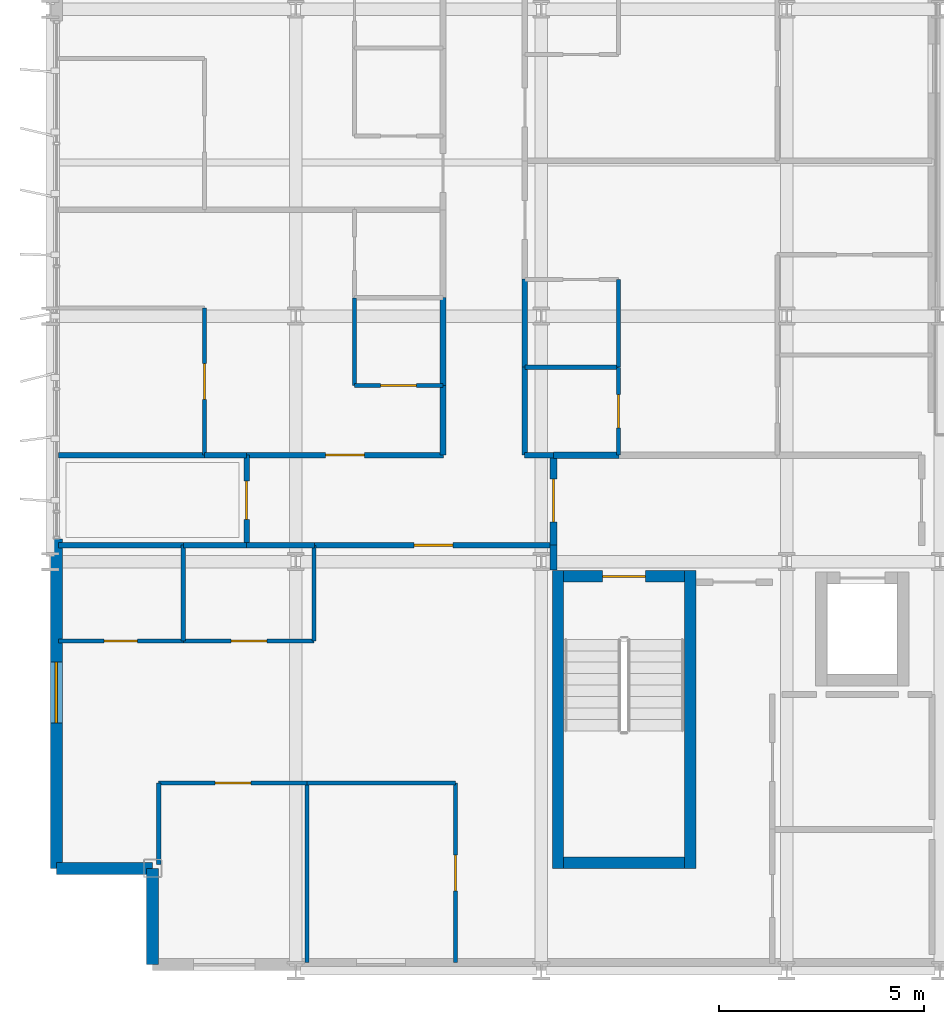
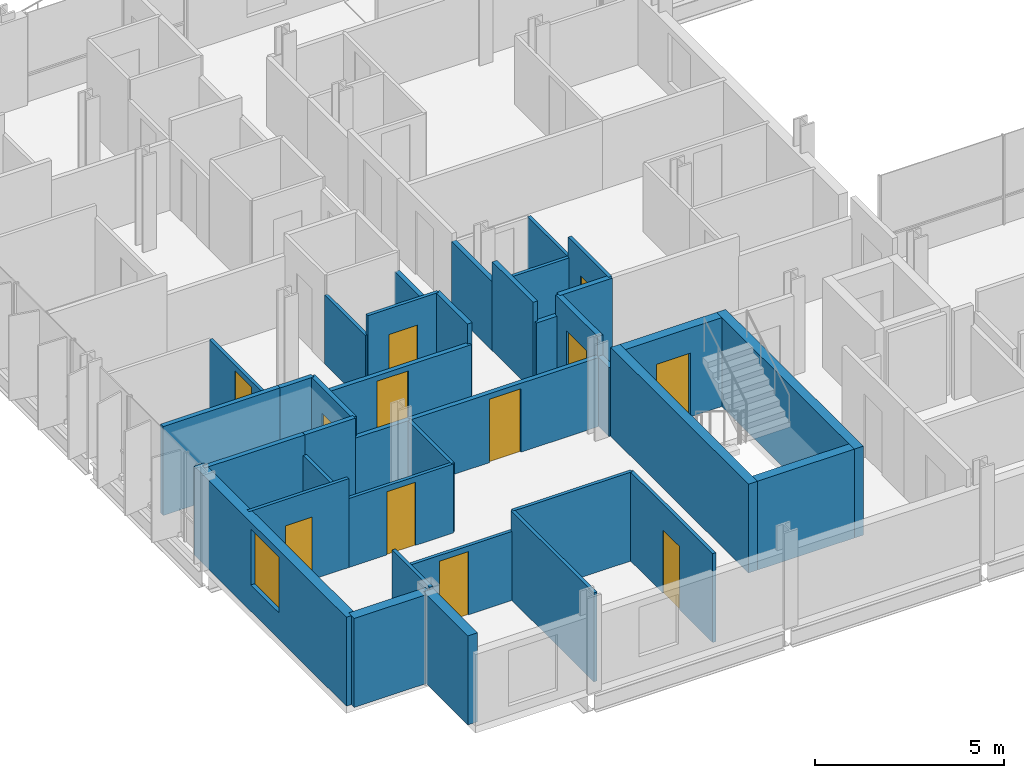
# One storey, part 27 of 39: 38 walls, 12 doors, 1 window, 13 openings.
"""IFC4 building model written with IfcOpenShell, lengths in metres."""

import ifcopenshell
import ifcopenshell.guid

model = None  # the IFC model being written
_history = None  # IfcOwnerHistory: only IFC2X3 demands one
_inside = {}  # id of a spatial element -> (the spatial element, [elements in it])
_under = {}  # id of a project, library or spatial element -> (it, [spatial elements below it])
_declared = {}  # id of a project -> (the project, [libraries it declares])
_typed = {}  # id of a type object -> (the type object, [elements of that type])
_made_of = {}  # id of a material, layer set ... -> (it, [elements and type objects made of it])


def new_model(schema):
    """Start an empty IFC model of exactly this schema.

    Asked for "IFC4X3", IfcOpenShell would pick the latest addendum, in which some entities
    have other attributes; the version numbers below select the first issue.
    IFC2X3 requires an IfcOwnerHistory on every rooted entity: one is made here for all.
    """
    global model, _history
    if schema == "IFC4X3":
        model = ifcopenshell.file(schema_version=(4, 3, 0, 0))
    else:
        model = ifcopenshell.file(schema=schema)
    _inside.clear()
    _under.clear()
    _declared.clear()
    _typed.clear()
    _made_of.clear()
    _history = None
    if model.schema == "IFC2X3":
        org = make("IfcOrganization", Name="unknown")
        user = make(
            "IfcPersonAndOrganization",
            ThePerson=make("IfcPerson", FamilyName="unknown"),
            TheOrganization=org,
        )
        app = make(
            "IfcApplication",
            ApplicationDeveloper=org,
            Version="unknown",
            ApplicationFullName="unknown",
            ApplicationIdentifier="unknown",
        )
        _history = make(
            "IfcOwnerHistory",
            OwningUser=user,
            OwningApplication=app,
            ChangeAction="ADDED",
            CreationDate=0,
        )
    return model


def make(cls, **values):
    """One entity of the class cls with the attributes given. An attribute that is None is left unset."""
    return model.create_entity(
        cls, **{name: value for name, value in values.items() if value is not None}
    )


def rooted(cls, **values):
    """An entity with a GlobalId (a new one), such as an element, a storey or a relation."""
    return make(cls, GlobalId=ifcopenshell.guid.new(), OwnerHistory=_history, **values)


def si_unit(unit_type, name, prefix=None):
    """IfcSIUnit, for example si_unit("LENGTHUNIT", "METRE", prefix="MILLI")."""
    return make("IfcSIUnit", UnitType=unit_type, Prefix=prefix, Name=name)


def assignment(units):
    """IfcUnitAssignment: the units of a project."""
    return None if units is None else make("IfcUnitAssignment", Units=units)


def point(xyz):
    """IfcCartesianPoint."""
    return None if xyz is None else make("IfcCartesianPoint", Coordinates=xyz)


def direction(xyz):
    """IfcDirection."""
    return None if xyz is None else make("IfcDirection", DirectionRatios=xyz)


def frame(location, z_axis=None, x_axis=None):
    """IfcAxis2Placement3D, a coordinate frame: its origin and axes. An axis left out is left unset."""
    return make(
        "IfcAxis2Placement3D",
        Location=point(location),
        Axis=direction(z_axis),
        RefDirection=direction(x_axis),
    )


def frame_2d(location, x_axis=None):
    """IfcAxis2Placement2D, a coordinate frame in the plane: its origin and x axis."""
    return make(
        "IfcAxis2Placement2D", Location=point(location), RefDirection=direction(x_axis)
    )


def origin():
    """The frame at (0, 0, 0) with its axes left unset."""
    return frame((0.0, 0.0, 0.0))


def place(relative_to, where):
    """IfcLocalPlacement: puts the frame where relative to a parent placement (None: the world)."""
    return make(
        "IfcLocalPlacement", PlacementRelTo=relative_to, RelativePlacement=where
    )


def context(
    kind, dimensions, precision=None, world=None, true_north=None, identifier=None
):
    """IfcGeometricRepresentationContext, for example the 3D "Model" context."""
    return make(
        "IfcGeometricRepresentationContext",
        ContextIdentifier=identifier,
        ContextType=kind,
        CoordinateSpaceDimension=dimensions,
        Precision=precision,
        WorldCoordinateSystem=world,
        TrueNorth=true_north,
    )


def subcontext(parent, identifier, kind, view, scale=None):
    """IfcGeometricRepresentationSubContext, for example "Body" below "Model"."""
    return make(
        "IfcGeometricRepresentationSubContext",
        ContextIdentifier=identifier,
        ContextType=kind,
        ParentContext=parent,
        TargetScale=scale,
        TargetView=view,
    )


def project(units=None, contexts=None):
    """IfcProject with its units and contexts."""
    return rooted(
        "IfcProject",
        Name="project",
        RepresentationContexts=contexts,
        UnitsInContext=assignment(units),
    )


def spatial(cls, under=None, at=None, **own):
    """A site, building, storey or space (cls), placed at a placement, below another one or the project."""
    s = rooted(cls, ObjectPlacement=at, **own)
    if under is not None:
        _under.setdefault(under.id(), (under, []))[1].append(s)
    return s


def profile(cls, at=None, kind="AREA", **sizes):
    """A parametric profile (cls). Its sizes go by their IFC names, for example OverallWidth=200.0."""
    return make(cls, ProfileType=kind, Position=at, **sizes)


def rectangle(**sizes):
    """IfcRectangleProfileDef."""
    return profile("IfcRectangleProfileDef", **sizes)


def extrude(swept, where, along, depth):
    """IfcExtrudedAreaSolid: the profile swept, set in the frame where, extruded along a direction by depth."""
    return make(
        "IfcExtrudedAreaSolid",
        SweptArea=swept,
        Position=where,
        ExtrudedDirection=direction(along),
        Depth=depth,
    )


def shape(context_of_items, identifier, shape_type, items):
    """IfcShapeRepresentation: the items that make up one representation, for example the "Body"."""
    return make(
        "IfcShapeRepresentation",
        ContextOfItems=context_of_items,
        RepresentationIdentifier=identifier,
        RepresentationType=shape_type,
        Items=items,
    )


def material(Name=None, Category=None):
    """IfcMaterial."""
    return make("IfcMaterial", Name=Name, Category=Category)


def layer(
    of_material, thickness, ventilated=None, Name=None, Category=None, Priority=None
):
    """IfcMaterialLayer: one layer of a wall or slab, of a material (None: an air gap)."""
    return make(
        "IfcMaterialLayer",
        Material=of_material,
        LayerThickness=thickness,
        IsVentilated=ventilated,
        Name=Name,
        Category=Category,
        Priority=Priority,
    )


def layer_set(layers, Name=None):
    """IfcMaterialLayerSet."""
    return make("IfcMaterialLayerSet", MaterialLayers=layers, LayerSetName=Name)


def made_of(thing, what):
    """Note that an element or type object is made of a material, layer set ...; save() writes the relation."""
    if what is not None:
        _made_of.setdefault(what.id(), (what, []))[1].append(thing)
    return thing


def type_object(cls, material=None, **own):
    """A type object (cls), such as IfcWallType, which elements share."""
    return made_of(rooted(cls, **own), material)


def element(
    cls,
    number,
    at=None,
    inside=None,
    cuts=None,
    type_object=None,
    material=None,
    context=None,
    identifier="Body",
    shape_type=None,
    held_by="IfcProductDefinitionShape",
    body=None,
    shapes=None,
    **own,
):
    """One element of the class cls, such as IfcWall. Its Tag is "e" and its number.

    at: its placement. inside: the storey or other place that contains it. cuts: it is an
    opening in that element (IfcRelVoidsElement). A single representation is given by context,
    identifier, shape_type and body (its items); several are given by shapes. held_by: the class
    of the entity that holds the representations. save() writes the other relations.
    """
    e = rooted(cls, Tag="e%d" % number, ObjectPlacement=at, **own)
    if body is not None:
        shapes = [shape(context, identifier, shape_type, body)]
    if shapes is not None:
        e.Representation = make(held_by, Representations=shapes)
    if inside is not None:
        _inside.setdefault(inside.id(), (inside, []))[1].append(e)
    if cuts is not None:
        rooted(
            "IfcRelVoidsElement", RelatingBuildingElement=cuts, RelatedOpeningElement=e
        )
    if type_object is not None:
        _typed.setdefault(type_object.id(), (type_object, []))[1].append(e)
    return made_of(e, material)


def fill(opening, filler):
    """IfcRelFillsElement: the door or window that sits in an opening."""
    return rooted(
        "IfcRelFillsElement",
        RelatingOpeningElement=opening,
        RelatedBuildingElement=filler,
    )


def aggregate(whole, parts):
    """IfcRelAggregates: a whole, such as a stair, and the parts it consists of."""
    return rooted("IfcRelAggregates", RelatingObject=whole, RelatedObjects=parts)


def save(model, path):
    """Write the relations noted so far, then the file.

    IfcRelAggregates (storeys below a building ...), IfcRelContainedInSpatialStructure (elements
    in a storey), IfcRelDefinesByType, IfcRelAssociatesMaterial and IfcRelDeclares: one each for
    every whole, place, type object, material and project.
    """
    for whole, parts in _under.values():
        aggregate(whole, parts)
    for where, things in _inside.values():
        rooted(
            "IfcRelContainedInSpatialStructure",
            RelatedElements=things,
            RelatingStructure=where,
        )
    for kind, things in _typed.values():
        rooted("IfcRelDefinesByType", RelatedObjects=things, RelatingType=kind)
    for what, things in _made_of.values():
        rooted("IfcRelAssociatesMaterial", RelatedObjects=things, RelatingMaterial=what)
    for by, libraries in _declared.values():
        rooted("IfcRelDeclares", RelatingContext=by, RelatedDefinitions=libraries)
    model.write(path)


model = new_model("IFC4")

# Units and contexts
model_context = context("Model", 3, precision=1e-05, world=origin(), true_north=direction((0.0, 1.0)))
body_context = subcontext(model_context, "Body", "Model", "MODEL_VIEW")
ifc_project = project(units=[si_unit("LENGTHUNIT", "METRE"), si_unit("AREAUNIT", "SQUARE_METRE"), si_unit("VOLUMEUNIT", "CUBIC_METRE"), si_unit("PLANEANGLEUNIT", "RADIAN"), si_unit("MASSUNIT", "GRAM", prefix="KILO")], contexts=[model_context])

# Site, building, storey
site_placement = place(None, origin())
site = spatial("IfcSite", under=ifc_project, at=site_placement, CompositionType="ELEMENT")
building_placement = place(site_placement, origin())
building = spatial("IfcBuilding", under=site, at=building_placement, Name="Brevholm Reach", CompositionType="ELEMENT")
storey_placement = place(building_placement, frame((0.0, 0.0, 90.0)))
storey = spatial("IfcBuildingStorey", under=building, at=storey_placement, Name="L26", CompositionType="ELEMENT", Elevation=90.0)

# Walls
ifc_material_1 = material(Name="Concrete C50/60", Category="concrete")
ifc_layer_1 = layer(ifc_material_1, 0.280029296875)
ifc_layer_set_1 = layer_set([ifc_layer_1], Name="Concrete C50/60")
wall_type_1 = type_object("IfcWallType", Name="WAL-COR-280", PredefinedType="SHEAR", material=ifc_layer_set_1)
for number, where, z_axis, x_axis, name in (
    (1, (12.409912109375, 2.5, 0.0), (0.0, 0.0, 1.0), (0.0, 1.0, 0.0), "L26 Escape Stair ST-1 Core Wall W"),
    (2, (15.639892578125, 2.5, 0.0), (0.0, 0.0, 1.0), (0.0, 1.0, 0.0), "L26 Escape Stair ST-1 Core Wall E"),
):
    element("IfcWall", number, at=place(storey_placement, frame(where, z_axis=z_axis, x_axis=x_axis)), inside=storey, type_object=wall_type_1, Name=name, PredefinedType="SHEAR", context=body_context, shape_type="SweptSolid", body=[
        extrude(rectangle(XDim=7.280029296875, YDim=0.280029296875, at=frame_2d((3.64013671875, 0.0))), origin(), (0.0, 0.0, 1.0), 2.8701171875),
    ])
wall_1_placement = place(storey_placement, frame((12.550048828125, 2.639892578125, 0.0), z_axis=(0.0, 0.0, 1.0), x_axis=(1.0, 0.0, 0.0)))
element("IfcWall", 3, at=wall_1_placement, inside=storey, type_object=wall_type_1, Name="L26 Escape Stair ST-1 Core Wall S", PredefinedType="SHEAR", context=body_context, shape_type="SweptSolid", body=[
    extrude(rectangle(XDim=2.949951171875, YDim=0.280029296875, at=frame_2d((1.47509765625, 0.0))), origin(), (0.0, 0.0, 1.0), 2.8701171875),
])

# Wall, opening, door
wall_2_placement = place(storey_placement, frame((15.5, 9.639892578125, 0.0), z_axis=(0.0, 0.0, 1.0), x_axis=(-1.0, 0.0, 0.0)))
wall_2 = element("IfcWall", 4, at=wall_2_placement, inside=storey, type_object=wall_type_1, Name="L26 Escape Stair ST-1 Core Wall N", PredefinedType="SHEAR", context=body_context, shape_type="SweptSolid", body=[
    extrude(rectangle(XDim=2.949951171875, YDim=0.280029296875, at=frame_2d((1.47509765625, 0.0))), origin(), (0.0, 0.0, 1.0), 2.8701171875),
])
opening_1_placement = place(wall_2_placement, frame((0.949951171875, 0.0, 0.0)))
opening_1 = element("IfcOpeningElement", 5, at=opening_1_placement, cuts=wall_2, Name="Opening SD-ST-1", PredefinedType="OPENING", context=body_context, shape_type="SweptSolid", body=[
    extrude(rectangle(XDim=1.050048828125, YDim=2.06005859375, at=frame_2d((0.52490234375, 1.030029296875))), frame((0.0, 0.14990234375, 0.0), z_axis=(0.0, -1.0, 0.0), x_axis=(1.0, 0.0, 0.0)), (0.0, 0.0, 1.0), 0.300048828125),
])
ifc_material_2 = material(Name="Hardwood-Lipped Steel-Core Fire and Smoke Door", Category="steel")
door_type_1 = type_object("IfcDoorType", Name="DOR-INT-FD60S", OperationType="NOTDEFINED", PredefinedType="DOOR", material=ifc_material_2)
door_1_placement = place(opening_1_placement, origin())
door_1 = element("IfcDoor", 6, at=door_1_placement, inside=storey, type_object=door_type_1, Name="L26 Protected Stair ST-1 Lobby Door", OperationType="SINGLE_SWING_RIGHT", OverallHeight=2.06005859375, OverallWidth=1.050048828125, PredefinedType="DOOR", context=body_context, shape_type="SweptSolid", body=[
    extrude(rectangle(XDim=1.050048828125, YDim=2.06005859375, at=frame_2d((0.52490234375, 1.030029296875))), frame((0.0, 0.02490234375, 0.0), z_axis=(0.0, -1.0, 0.0), x_axis=(1.0, 0.0, 0.0)), (0.0, 0.0, 1.0), 0.050048828125),
])
fill(opening_1, door_1)

# Walls
ifc_material_3 = material(Name="Concrete C40/50", Category="concrete")
ifc_layer_2 = layer(ifc_material_3, 0.300048828125)
ifc_layer_set_2 = layer_set([ifc_layer_2], Name="Concrete C40/50")
wall_type_2 = type_object("IfcWallType", Name="WAL-EXT-300", PredefinedType="STANDARD", material=ifc_layer_set_2)
for number, where, z_axis, x_axis, name in (
    (7, (2.5, 2.5, 0.0), (0.0, 0.0, 1.0), (0.0, -1.0, 0.0), "L26 Facade Wall WAL-L26-CSW1"),
    (8, (0.14990234375, 2.5, 0.0), (0.0, 0.0, 1.0), (1.0, 0.0, 0.0), "L26 Facade Wall WAL-L26-CSW2"),
):
    element("IfcWall", number, at=place(storey_placement, frame(where, z_axis=z_axis, x_axis=x_axis)), inside=storey, type_object=wall_type_2, Name=name, PredefinedType="STANDARD", context=body_context, shape_type="SweptSolid", body=[
        extrude(rectangle(XDim=2.35009765625, YDim=0.300048828125, at=frame_2d((1.175048828125, 0.0))), origin(), (0.0, 0.0, 1.0), 2.8701171875),
    ])

# Wall, opening, window
wall_3_placement = place(storey_placement, frame((0.14990234375, 10.550048828125, 0.0), z_axis=(0.0, 0.0, 1.0), x_axis=(0.0, -1.0, 0.0)))
wall_3 = element("IfcWall", 9, at=wall_3_placement, inside=storey, type_object=wall_type_2, Name="L26 Facade Wall WAL-L26-W-S", PredefinedType="STANDARD", context=body_context, shape_type="SweptSolid", body=[
    extrude(rectangle(XDim=8.050048828125, YDim=0.300048828125, at=frame_2d((4.02490234375, 0.0))), origin(), (0.0, 0.0, 1.0), 2.8701171875),
])
opening_2_placement = place(wall_3_placement, frame((3.0, 0.0, 0.85009765625)))
opening_2 = element("IfcOpeningElement", 10, at=opening_2_placement, cuts=wall_3, Name="Opening WN-05", PredefinedType="OPENING", context=body_context, shape_type="SweptSolid", body=[
    extrude(rectangle(XDim=1.5, YDim=1.800048828125, at=frame_2d((0.75, 0.89990234375))), frame((0.0, 0.159912109375, 0.0), z_axis=(0.0, -1.0, 0.0), x_axis=(1.0, 0.0, 0.0)), (0.0, 0.0, 1.0), 0.320068359375),
])
ifc_material_4 = material(Name="Dark Anodised Aluminium and Solar-Control IGU Glass", Category="aluminium")
window_type = type_object("IfcWindowType", Name="WIN-RES-1500", PartitioningType="SINGLE_PANEL", PredefinedType="WINDOW", material=ifc_material_4)
window_placement = place(opening_2_placement, origin())
window = element("IfcWindow", 11, at=window_placement, inside=storey, type_object=window_type, Name="L26 Window WIN-L26-WS-1", OverallHeight=1.800048828125, OverallWidth=1.5, PartitioningType="SINGLE_PANEL", PredefinedType="WINDOW", context=body_context, shape_type="SweptSolid", body=[
    extrude(rectangle(XDim=1.5, YDim=1.800048828125, at=frame_2d((0.75, 0.89990234375))), frame((0.0, 0.030029296875, 0.0), z_axis=(0.0, -1.0, 0.0), x_axis=(1.0, 0.0, 0.0)), (0.0, 0.0, 1.0), 0.06005859375),
])
fill(opening_2, window)

# Wall
ifc_material_5 = material(Name="Moisture-Resistant Acoustic Gypsum Stud Partition 100 mm", Category="gypsum")
ifc_layer_3 = layer(ifc_material_5, 0.10009765625)
ifc_layer_set_3 = layer_set([ifc_layer_3], Name="Moisture-Resistant Acoustic Gypsum Stud Partition 100 mm")
wall_type_3 = type_object("IfcWallType", Name="WAL-PRT-100", PredefinedType="PARTITIONING", material=ifc_layer_set_3)
wall_4_placement = place(storey_placement, frame((3.25, 8.053955078125, 0.0), z_axis=(0.0, 0.0, 1.0), x_axis=(0.0, 1.0, 0.0)))
element("IfcWall", 12, at=wall_4_placement, inside=storey, type_object=wall_type_3, Name="L26 Internal Partition 067", PredefinedType="PARTITIONING", context=body_context, shape_type="SweptSolid", body=[
    extrude(rectangle(XDim=2.345947265625, YDim=0.10009765625, at=frame_2d((1.1728515625, 0.0))), origin(), (0.0, 0.0, 1.0), 2.224853515625),
])

# Wall, opening, door
wall_5_placement = place(storey_placement, frame((0.199951171875, 8.053955078125, 0.0), z_axis=(0.0, 0.0, 1.0), x_axis=(1.0, 0.0, 0.0)))
wall_5 = element("IfcWall", 13, at=wall_5_placement, inside=storey, type_object=wall_type_3, Name="L26 Internal Partition 068", PredefinedType="PARTITIONING", context=body_context, shape_type="SweptSolid", body=[
    extrude(rectangle(XDim=3.050048828125, YDim=0.10009765625, at=frame_2d((1.52490234375, 0.0))), origin(), (0.0, 0.0, 1.0), 2.8701171875),
])
opening_3_placement = place(wall_5_placement, frame((1.114990234375, 0.0, 0.0)))
opening_3 = element("IfcOpeningElement", 14, at=opening_3_placement, cuts=wall_5, Name="Opening ID-03", PredefinedType="OPENING", context=body_context, shape_type="SweptSolid", body=[
    extrude(rectangle(XDim=0.820068359375, YDim=2.02001953125, at=frame_2d((0.41015625, 1.010009765625))), frame((0.0, 0.06005859375, 0.0), z_axis=(0.0, -1.0, 0.0), x_axis=(1.0, 0.0, 0.0)), (0.0, 0.0, 1.0), 0.1201171875),
])
ifc_material_6 = material(Name="Moisture-Resistant Painted Timber Internal Bathroom Door", Category="wood")
door_type_2 = type_object("IfcDoorType", Name="DOR-BATH-820", OperationType="NOTDEFINED", PredefinedType="DOOR", material=ifc_material_6)
door_2_placement = place(opening_3_placement, origin())
door_2 = element("IfcDoor", 15, at=door_2_placement, inside=storey, type_object=door_type_2, Name="L26 Internal Door 026", OperationType="SINGLE_SWING_RIGHT", OverallHeight=2.02001953125, OverallWidth=0.820068359375, PredefinedType="DOOR", context=body_context, shape_type="SweptSolid", body=[
    extrude(rectangle(XDim=0.820068359375, YDim=2.02001953125, at=frame_2d((0.41015625, 1.010009765625))), frame((0.0, 0.02490234375, 0.0), z_axis=(0.0, -1.0, 0.0), x_axis=(1.0, 0.0, 0.0)), (0.0, 0.0, 1.0), 0.050048828125),
])
fill(opening_3, door_2)

wall_6_placement = place(storey_placement, frame((3.25390625, 8.053955078125, 0.0), z_axis=(0.0, 0.0, 1.0), x_axis=(1.0, 0.0, 0.0)))
wall_6 = element("IfcWall", 16, at=wall_6_placement, inside=storey, type_object=wall_type_3, Name="L26 Internal Partition 070", PredefinedType="PARTITIONING", context=body_context, shape_type="SweptSolid", body=[
    extrude(rectangle(XDim=3.196044921875, YDim=0.10009765625, at=frame_2d((1.59814453125, 0.0))), origin(), (0.0, 0.0, 1.0), 2.224853515625),
])
opening_4_placement = place(wall_6_placement, frame((1.157958984375, 0.0, 0.0)))
opening_4 = element("IfcOpeningElement", 17, at=opening_4_placement, cuts=wall_6, Name="Opening ID-01", PredefinedType="OPENING", context=body_context, shape_type="SweptSolid", body=[
    extrude(rectangle(XDim=0.8798828125, YDim=2.0400390625, at=frame_2d((0.43994140625, 1.02001953125))), frame((0.0, 0.06005859375, 0.0), z_axis=(0.0, -1.0, 0.0), x_axis=(1.0, 0.0, 0.0)), (0.0, 0.0, 1.0), 0.1201171875),
])
ifc_material_7 = material(Name="Lacquered Ash Solid-Core Acoustic Internal Door", Category="timber")
door_type_3 = type_object("IfcDoorType", Name="DOR-INT-880", OperationType="NOTDEFINED", PredefinedType="DOOR", material=ifc_material_7)
door_3_placement = place(opening_4_placement, origin())
door_3 = element("IfcDoor", 18, at=door_3_placement, inside=storey, type_object=door_type_3, Name="L26 Internal Door 027", OperationType="SINGLE_SWING_LEFT", OverallHeight=2.0400390625, OverallWidth=0.8798828125, PredefinedType="DOOR", context=body_context, shape_type="SweptSolid", body=[
    extrude(rectangle(XDim=0.8798828125, YDim=2.0400390625, at=frame_2d((0.43994140625, 1.02001953125))), frame((0.0, 0.02490234375, 0.0), z_axis=(0.0, -1.0, 0.0), x_axis=(1.0, 0.0, 0.0)), (0.0, 0.0, 1.0), 0.050048828125),
])
fill(opening_4, door_3)

# Walls
wall_7_placement = place(storey_placement, frame((6.449951171875, 8.053955078125, 0.0), z_axis=(0.0, 0.0, 1.0), x_axis=(0.0, 1.0, 0.0)))
element("IfcWall", 19, at=wall_7_placement, inside=storey, type_object=wall_type_3, Name="L26 Internal Partition 071", PredefinedType="PARTITIONING", context=body_context, shape_type="SweptSolid", body=[
    extrude(rectangle(XDim=2.342041015625, YDim=0.10009765625, at=frame_2d((1.1708984375, 0.0))), origin(), (0.0, 0.0, 1.0), 2.224853515625),
])
wall_8_placement = place(storey_placement, frame((6.27490234375, 0.199951171875, 0.0), z_axis=(0.0, 0.0, 1.0), x_axis=(0.0, 1.0, 0.0)))
element("IfcWall", 20, at=wall_8_placement, inside=storey, type_object=wall_type_3, Name="L26 Internal Partition 073", PredefinedType="PARTITIONING", context=body_context, shape_type="SweptSolid", body=[
    extrude(rectangle(XDim=4.385986328125, YDim=0.10009765625, at=frame_2d((2.19287109375, 0.0))), origin(), (0.0, 0.0, 1.0), 2.8701171875),
])
wall_9_placement = place(storey_placement, frame((2.64990234375, 2.599365234375, 0.0), z_axis=(0.0, 0.0, 1.0), x_axis=(0.0, 1.0, 0.0)))
element("IfcWall", 21, at=wall_9_placement, inside=storey, type_object=wall_type_3, Name="L26 Internal Partition 074", PredefinedType="PARTITIONING", context=body_context, shape_type="SweptSolid", body=[
    extrude(rectangle(XDim=1.986572265625, YDim=0.10009765625, at=frame_2d((0.9931640625, 0.0))), origin(), (0.0, 0.0, 1.0), 2.8701171875),
])

# Wall, opening, door
wall_10_placement = place(storey_placement, frame((2.64990234375, 4.5859375, 0.0), z_axis=(0.0, 0.0, 1.0), x_axis=(1.0, 0.0, 0.0)))
wall_10 = element("IfcWall", 22, at=wall_10_placement, inside=storey, type_object=wall_type_3, Name="L26 Internal Partition 075", PredefinedType="PARTITIONING", context=body_context, shape_type="SweptSolid", body=[
    extrude(rectangle(XDim=3.625, YDim=0.10009765625, at=frame_2d((1.8125, 0.0))), origin(), (0.0, 0.0, 1.0), 2.224853515625),
])
opening_5_placement = place(wall_10_placement, frame((1.37255859375, 0.0, 0.0)))
opening_5 = element("IfcOpeningElement", 23, at=opening_5_placement, cuts=wall_10, Name="Opening ID-01", PredefinedType="OPENING", context=body_context, shape_type="SweptSolid", body=[
    extrude(rectangle(XDim=0.8798828125, YDim=2.0400390625, at=frame_2d((0.43994140625, 1.02001953125))), frame((0.0, 0.06005859375, 0.0), z_axis=(0.0, -1.0, 0.0), x_axis=(1.0, 0.0, 0.0)), (0.0, 0.0, 1.0), 0.1201171875),
])
door_4_placement = place(opening_5_placement, origin())
door_4 = element("IfcDoor", 24, at=door_4_placement, inside=storey, type_object=door_type_3, Name="L26 Internal Door 028", OperationType="SINGLE_SWING_RIGHT", OverallHeight=2.0400390625, OverallWidth=0.8798828125, PredefinedType="DOOR", context=body_context, shape_type="SweptSolid", body=[
    extrude(rectangle(XDim=0.8798828125, YDim=2.0400390625, at=frame_2d((0.43994140625, 1.02001953125))), frame((0.0, 0.02490234375, 0.0), z_axis=(0.0, -1.0, 0.0), x_axis=(1.0, 0.0, 0.0)), (0.0, 0.0, 1.0), 0.050048828125),
])
fill(opening_5, door_4)

wall_11_placement = place(storey_placement, frame((9.89990234375, 0.199951171875, 0.0), z_axis=(0.0, 0.0, 1.0), x_axis=(0.0, 1.0, 0.0)))
wall_11 = element("IfcWall", 25, at=wall_11_placement, inside=storey, type_object=wall_type_3, Name="L26 Internal Partition 076", PredefinedType="PARTITIONING", context=body_context, shape_type="SweptSolid", body=[
    extrude(rectangle(XDim=4.385986328125, YDim=0.10009765625, at=frame_2d((2.19287109375, 0.0))), origin(), (0.0, 0.0, 1.0), 2.8701171875),
])
opening_6_placement = place(wall_11_placement, frame((1.7529296875, 0.0, 0.0)))
opening_6 = element("IfcOpeningElement", 26, at=opening_6_placement, cuts=wall_11, Name="Opening ID-01", PredefinedType="OPENING", context=body_context, shape_type="SweptSolid", body=[
    extrude(rectangle(XDim=0.8798828125, YDim=2.0400390625, at=frame_2d((0.43994140625, 1.02001953125))), frame((0.0, 0.06005859375, 0.0), z_axis=(0.0, -1.0, 0.0), x_axis=(1.0, 0.0, 0.0)), (0.0, 0.0, 1.0), 0.1201171875),
])
door_5_placement = place(opening_6_placement, origin())
door_5 = element("IfcDoor", 27, at=door_5_placement, inside=storey, type_object=door_type_3, Name="L26 Internal Door 029", OperationType="SINGLE_SWING_LEFT", OverallHeight=2.0400390625, OverallWidth=0.8798828125, PredefinedType="DOOR", context=body_context, shape_type="SweptSolid", body=[
    extrude(rectangle(XDim=0.8798828125, YDim=2.0400390625, at=frame_2d((0.43994140625, 1.02001953125))), frame((0.0, 0.02490234375, 0.0), z_axis=(0.0, -1.0, 0.0), x_axis=(1.0, 0.0, 0.0)), (0.0, 0.0, 1.0), 0.050048828125),
])
fill(opening_6, door_5)

# Wall
wall_12_placement = place(storey_placement, frame((6.279052734375, 4.5859375, 0.0), z_axis=(0.0, 0.0, 1.0), x_axis=(1.0, 0.0, 0.0)))
element("IfcWall", 28, at=wall_12_placement, inside=storey, type_object=wall_type_3, Name="L26 Internal Partition 077", PredefinedType="PARTITIONING", context=body_context, shape_type="SweptSolid", body=[
    extrude(rectangle(XDim=3.620849609375, YDim=0.10009765625, at=frame_2d((1.810546875, 0.0))), origin(), (0.0, 0.0, 1.0), 2.8701171875),
])

# Wall, opening, door
wall_13_placement = place(storey_placement, frame((7.43798828125, 14.300048828125, 0.0), z_axis=(0.0, 0.0, 1.0), x_axis=(1.0, 0.0, 0.0)))
wall_13 = element("IfcWall", 29, at=wall_13_placement, inside=storey, type_object=wall_type_3, Name="L26 Internal Partition 093", PredefinedType="PARTITIONING", context=body_context, shape_type="SweptSolid", body=[
    extrude(rectangle(XDim=2.157958984375, YDim=0.10009765625, at=frame_2d((1.0791015625, 0.0))), origin(), (0.0, 0.0, 1.0), 2.8701171875),
])
opening_7_placement = place(wall_13_placement, frame((0.638916015625, 0.0, 0.0)))
opening_7 = element("IfcOpeningElement", 30, at=opening_7_placement, cuts=wall_13, Name="Opening ID-01", PredefinedType="OPENING", context=body_context, shape_type="SweptSolid", body=[
    extrude(rectangle(XDim=0.8798828125, YDim=2.0400390625, at=frame_2d((0.43994140625, 1.02001953125))), frame((0.0, 0.06005859375, 0.0), z_axis=(0.0, -1.0, 0.0), x_axis=(1.0, 0.0, 0.0)), (0.0, 0.0, 1.0), 0.1201171875),
])
door_6_placement = place(opening_7_placement, origin())
door_6 = element("IfcDoor", 31, at=door_6_placement, inside=storey, type_object=door_type_3, Name="L26 Internal Door 034", OperationType="SINGLE_SWING_RIGHT", OverallHeight=2.0400390625, OverallWidth=0.8798828125, PredefinedType="DOOR", context=body_context, shape_type="SweptSolid", body=[
    extrude(rectangle(XDim=0.8798828125, YDim=2.0400390625, at=frame_2d((0.43994140625, 1.02001953125))), frame((0.0, 0.02490234375, 0.0), z_axis=(0.0, -1.0, 0.0), x_axis=(1.0, 0.0, 0.0)), (0.0, 0.0, 1.0), 0.050048828125),
])
fill(opening_7, door_6)

# Wall
wall_14_placement = place(storey_placement, frame((7.43798828125, 14.300048828125, 0.0), z_axis=(0.0, 0.0, 1.0), x_axis=(0.0, 1.0, 0.0)))
element("IfcWall", 32, at=wall_14_placement, inside=storey, type_object=wall_type_3, Name="L26 Internal Partition 094", PredefinedType="PARTITIONING", context=body_context, shape_type="SweptSolid", body=[
    extrude(rectangle(XDim=2.14599609375, YDim=0.10009765625, at=frame_2d((1.072998046875, 0.0))), origin(), (0.0, 0.0, 1.0), 2.224853515625),
])

# Wall, opening, door
wall_15_placement = place(storey_placement, frame((3.77197265625, 12.60400390625, 0.0), z_axis=(0.0, 0.0, 1.0), x_axis=(0.0, 1.0, 0.0)))
wall_15 = element("IfcWall", 33, at=wall_15_placement, inside=storey, type_object=wall_type_3, Name="L26 Internal Partition 095", PredefinedType="PARTITIONING", context=body_context, shape_type="SweptSolid", body=[
    extrude(rectangle(XDim=3.595947265625, YDim=0.10009765625, at=frame_2d((1.7978515625, 0.0))), origin(), (0.0, 0.0, 1.0), 2.224853515625),
])
opening_8_placement = place(wall_15_placement, frame((1.35791015625, 0.0, 0.0)))
opening_8 = element("IfcOpeningElement", 34, at=opening_8_placement, cuts=wall_15, Name="Opening ID-01", PredefinedType="OPENING", context=body_context, shape_type="SweptSolid", body=[
    extrude(rectangle(XDim=0.8798828125, YDim=2.0400390625, at=frame_2d((0.43994140625, 1.02001953125))), frame((0.0, 0.06005859375, 0.0), z_axis=(0.0, -1.0, 0.0), x_axis=(1.0, 0.0, 0.0)), (0.0, 0.0, 1.0), 0.1201171875),
])
door_7_placement = place(opening_8_placement, origin())
door_7 = element("IfcDoor", 35, at=door_7_placement, inside=storey, type_object=door_type_3, Name="L26 Internal Door 035", OperationType="SINGLE_SWING_LEFT", OverallHeight=2.0400390625, OverallWidth=0.8798828125, PredefinedType="DOOR", context=body_context, shape_type="SweptSolid", body=[
    extrude(rectangle(XDim=0.8798828125, YDim=2.0400390625, at=frame_2d((0.43994140625, 1.02001953125))), frame((0.0, 0.02490234375, 0.0), z_axis=(0.0, -1.0, 0.0), x_axis=(1.0, 0.0, 0.0)), (0.0, 0.0, 1.0), 0.050048828125),
])
fill(opening_8, door_7)

# Wall
wall_16_placement = place(storey_placement, frame((11.60400390625, 14.75, 0.0), z_axis=(0.0, 0.0, 1.0), x_axis=(1.0, 0.0, 0.0)))
element("IfcWall", 36, at=wall_16_placement, inside=storey, type_object=wall_type_3, Name="L26 Internal Partition 114", PredefinedType="PARTITIONING", context=body_context, shape_type="SweptSolid", body=[
    extrude(rectangle(XDim=2.284912109375, YDim=0.10009765625, at=frame_2d((1.142578125, 0.0))), origin(), (0.0, 0.0, 1.0), 2.224853515625),
])

# Wall, opening, door
wall_17_placement = place(storey_placement, frame((13.888916015625, 12.60400390625, 0.0), z_axis=(0.0, 0.0, 1.0), x_axis=(0.0, 1.0, 0.0)))
wall_17 = element("IfcWall", 37, at=wall_17_placement, inside=storey, type_object=wall_type_3, Name="L26 Internal Partition 115", PredefinedType="PARTITIONING", context=body_context, shape_type="SweptSolid", body=[
    extrude(rectangle(XDim=2.14599609375, YDim=0.10009765625, at=frame_2d((1.072998046875, 0.0))), origin(), (0.0, 0.0, 1.0), 2.8701171875),
])
opening_9_placement = place(wall_17_placement, frame((0.6630859375, 0.0, 0.0)))
opening_9 = element("IfcOpeningElement", 38, at=opening_9_placement, cuts=wall_17, Name="Opening ID-03", PredefinedType="OPENING", context=body_context, shape_type="SweptSolid", body=[
    extrude(rectangle(XDim=0.820068359375, YDim=2.02001953125, at=frame_2d((0.41015625, 1.010009765625))), frame((0.0, 0.06005859375, 0.0), z_axis=(0.0, -1.0, 0.0), x_axis=(1.0, 0.0, 0.0)), (0.0, 0.0, 1.0), 0.1201171875),
])
door_8_placement = place(opening_9_placement, origin())
door_8 = element("IfcDoor", 39, at=door_8_placement, inside=storey, type_object=door_type_2, Name="L26 Internal Door 042", OperationType="SINGLE_SWING_RIGHT", OverallHeight=2.02001953125, OverallWidth=0.820068359375, PredefinedType="DOOR", context=body_context, shape_type="SweptSolid", body=[
    extrude(rectangle(XDim=0.820068359375, YDim=2.02001953125, at=frame_2d((0.41015625, 1.010009765625))), frame((0.0, 0.02490234375, 0.0), z_axis=(0.0, -1.0, 0.0), x_axis=(1.0, 0.0, 0.0)), (0.0, 0.0, 1.0), 0.050048828125),
])
fill(opening_9, door_8)

# Walls
wall_18_placement = place(storey_placement, frame((13.888916015625, 14.75390625, 0.0), z_axis=(0.0, 0.0, 1.0), x_axis=(0.0, 1.0, 0.0)))
element("IfcWall", 40, at=wall_18_placement, inside=storey, type_object=wall_type_3, Name="L26 Internal Partition 116", PredefinedType="PARTITIONING", context=body_context, shape_type="SweptSolid", body=[
    extrude(rectangle(XDim=2.14599609375, YDim=0.10009765625, at=frame_2d((1.072998046875, 0.0))), origin(), (0.0, 0.0, 1.0), 2.224853515625),
])
ifc_material_8 = material(Name="Twin-Stud Acoustic Fire-Rated Gypsum Partition 140 mm", Category="gypsum")
ifc_layer_4 = layer(ifc_material_8, 0.139892578125)
ifc_layer_set_4 = layer_set([ifc_layer_4], Name="Twin-Stud Acoustic Fire-Rated Gypsum Partition 140 mm")
wall_type_4 = type_object("IfcWallType", Name="WAL-PRT-140", PredefinedType="PARTITIONING", material=ifc_layer_set_4)
wall_19_placement = place(storey_placement, frame((4.800048828125, 10.39990234375, 0.0), z_axis=(0.0, 0.0, 1.0), x_axis=(1.0, 0.0, 0.0)))
element("IfcWall", 41, at=wall_19_placement, inside=storey, type_object=wall_type_4, Name="L26 Internal Partition 027", PredefinedType="PARTITIONING", context=body_context, shape_type="SweptSolid", body=[
    extrude(rectangle(XDim=1.6611328125, YDim=0.139892578125, at=frame_2d((0.83056640625, 0.0))), origin(), (0.0, 0.0, 1.0), 2.224853515625),
])

# Wall, opening, door
wall_20_placement = place(storey_placement, frame((6.442626953125, 10.39990234375, 0.0), z_axis=(0.0, 0.0, 1.0), x_axis=(1.0, 0.0, 0.0)))
wall_20 = element("IfcWall", 42, at=wall_20_placement, inside=storey, type_object=wall_type_4, Name="L26 Internal Partition 028", PredefinedType="PARTITIONING", context=body_context, shape_type="SweptSolid", body=[
    extrude(rectangle(XDim=5.853271484375, YDim=0.139892578125, at=frame_2d((2.9267578125, 0.0))), origin(), (0.0, 0.0, 1.0), 2.224853515625),
])
opening_10_placement = place(wall_20_placement, frame((2.45166015625, 0.0, 0.0)))
opening_10 = element("IfcOpeningElement", 43, at=opening_10_placement, cuts=wall_20, Name="Opening ID-30", PredefinedType="OPENING", context=body_context, shape_type="SweptSolid", body=[
    extrude(rectangle(XDim=0.949951171875, YDim=2.050048828125, at=frame_2d((0.47509765625, 1.02490234375))), frame((0.0, 0.079833984375, 0.0), z_axis=(0.0, -1.0, 0.0), x_axis=(1.0, 0.0, 0.0)), (0.0, 0.0, 1.0), 0.159912109375),
])
ifc_material_9 = material(Name="European Oak Veneered Solid-Core Fire Entrance Door", Category="timber")
door_type_4 = type_object("IfcDoorType", Name="DOR-FLT-FD30S", OperationType="NOTDEFINED", PredefinedType="DOOR", material=ifc_material_9)
door_9_placement = place(opening_10_placement, origin())
door_9 = element("IfcDoor", 44, at=door_9_placement, inside=storey, type_object=door_type_4, Name="L26 Internal Door 015", OperationType="SINGLE_SWING_LEFT", OverallHeight=2.050048828125, OverallWidth=0.949951171875, PredefinedType="DOOR", context=body_context, shape_type="SweptSolid", body=[
    extrude(rectangle(XDim=0.949951171875, YDim=2.050048828125, at=frame_2d((0.47509765625, 1.02490234375))), frame((0.0, 0.02490234375, 0.0), z_axis=(0.0, -1.0, 0.0), x_axis=(1.0, 0.0, 0.0)), (0.0, 0.0, 1.0), 0.050048828125),
])
fill(opening_10, door_9)

wall_21_placement = place(storey_placement, frame((4.800048828125, 10.39990234375, 0.0), z_axis=(0.0, 0.0, 1.0), x_axis=(0.0, 1.0, 0.0)))
wall_21 = element("IfcWall", 45, at=wall_21_placement, inside=storey, type_object=wall_type_4, Name="L26 Internal Partition 029", PredefinedType="PARTITIONING", context=body_context, shape_type="SweptSolid", body=[
    extrude(rectangle(XDim=2.2001953125, YDim=0.139892578125, at=frame_2d((1.10009765625, 0.0))), origin(), (0.0, 0.0, 1.0), 2.8701171875),
])
opening_11_placement = place(wall_21_placement, frame((0.625, 0.0, 0.0)))
opening_11 = element("IfcOpeningElement", 46, at=opening_11_placement, cuts=wall_21, Name="Opening ID-30", PredefinedType="OPENING", context=body_context, shape_type="SweptSolid", body=[
    extrude(rectangle(XDim=0.949951171875, YDim=2.050048828125, at=frame_2d((0.47509765625, 1.02490234375))), frame((0.0, 0.079833984375, 0.0), z_axis=(0.0, -1.0, 0.0), x_axis=(1.0, 0.0, 0.0)), (0.0, 0.0, 1.0), 0.159912109375),
])
door_10_placement = place(opening_11_placement, origin())
door_10 = element("IfcDoor", 47, at=door_10_placement, inside=storey, type_object=door_type_4, Name="L26 Internal Door 016", OperationType="SINGLE_SWING_RIGHT", OverallHeight=2.050048828125, OverallWidth=0.949951171875, PredefinedType="DOOR", context=body_context, shape_type="SweptSolid", body=[
    extrude(rectangle(XDim=0.949951171875, YDim=2.050048828125, at=frame_2d((0.47509765625, 1.02490234375))), frame((0.0, 0.02490234375, 0.0), z_axis=(0.0, -1.0, 0.0), x_axis=(1.0, 0.0, 0.0)), (0.0, 0.0, 1.0), 0.050048828125),
])
fill(opening_11, door_10)

wall_22_placement = place(storey_placement, frame((4.800048828125, 12.60009765625, 0.0), z_axis=(0.0, 0.0, 1.0), x_axis=(1.0, 0.0, 0.0)))
wall_22 = element("IfcWall", 48, at=wall_22_placement, inside=storey, type_object=wall_type_4, Name="L26 Internal Partition 030", PredefinedType="PARTITIONING", context=body_context, shape_type="SweptSolid", body=[
    extrude(rectangle(XDim=4.807373046875, YDim=0.139892578125, at=frame_2d((2.40380859375, 0.0))), origin(), (0.0, 0.0, 1.0), 2.224853515625),
])
opening_12_placement = place(wall_22_placement, frame((1.9287109375, 0.0, 0.0)))
opening_12 = element("IfcOpeningElement", 49, at=opening_12_placement, cuts=wall_22, Name="Opening ID-30", PredefinedType="OPENING", context=body_context, shape_type="SweptSolid", body=[
    extrude(rectangle(XDim=0.949951171875, YDim=2.050048828125, at=frame_2d((0.47509765625, 1.02490234375))), frame((0.0, 0.079833984375, 0.0), z_axis=(0.0, -1.0, 0.0), x_axis=(1.0, 0.0, 0.0)), (0.0, 0.0, 1.0), 0.159912109375),
])
door_11_placement = place(opening_12_placement, origin())
door_11 = element("IfcDoor", 50, at=door_11_placement, inside=storey, type_object=door_type_4, Name="L26 Internal Door 017", OperationType="SINGLE_SWING_LEFT", OverallHeight=2.050048828125, OverallWidth=0.949951171875, PredefinedType="DOOR", context=body_context, shape_type="SweptSolid", body=[
    extrude(rectangle(XDim=0.949951171875, YDim=2.050048828125, at=frame_2d((0.47509765625, 1.02490234375))), frame((0.0, 0.02490234375, 0.0), z_axis=(0.0, -1.0, 0.0), x_axis=(1.0, 0.0, 0.0)), (0.0, 0.0, 1.0), 0.050048828125),
])
fill(opening_12, door_11)

# Walls
wall_23_placement = place(storey_placement, frame((11.5927734375, 12.60009765625, 0.0), z_axis=(0.0, 0.0, 1.0), x_axis=(1.0, 0.0, 0.0)))
element("IfcWall", 51, at=wall_23_placement, inside=storey, type_object=wall_type_4, Name="L26 Internal Partition 031", PredefinedType="PARTITIONING", context=body_context, shape_type="SweptSolid", body=[
    extrude(rectangle(XDim=0.703125, YDim=0.139892578125, at=frame_2d((0.3515625, 0.0))), origin(), (0.0, 0.0, 1.0), 2.224853515625),
])
wall_24_placement = place(storey_placement, frame((9.60009765625, 14.288818359375, 0.0), z_axis=(0.0, 0.0, 1.0), x_axis=(0.0, 1.0, 0.0)))
element("IfcWall", 52, at=wall_24_placement, inside=storey, type_object=wall_type_4, Name="L26 Internal Partition 036", PredefinedType="PARTITIONING", context=body_context, shape_type="SweptSolid", body=[
    extrude(rectangle(XDim=2.16845703125, YDim=0.139892578125, at=frame_2d((1.084228515625, 0.0))), origin(), (0.0, 0.0, 1.0), 2.224853515625),
])
wall_25_placement = place(storey_placement, frame((9.60009765625, 12.60400390625, 0.0), z_axis=(0.0, 0.0, 1.0), x_axis=(0.0, 1.0, 0.0)))
element("IfcWall", 53, at=wall_25_placement, inside=storey, type_object=wall_type_4, Name="L26 Internal Partition 037", PredefinedType="PARTITIONING", context=body_context, shape_type="SweptSolid", body=[
    extrude(rectangle(XDim=1.703369140625, YDim=0.139892578125, at=frame_2d((0.8515625, 0.0))), origin(), (0.0, 0.0, 1.0), 2.8701171875),
])
wall_26_placement = place(storey_placement, frame((11.60009765625, 12.60400390625, 0.0), z_axis=(0.0, 0.0, 1.0), x_axis=(0.0, 1.0, 0.0)))
element("IfcWall", 54, at=wall_26_placement, inside=storey, type_object=wall_type_4, Name="L26 Internal Partition 044", PredefinedType="PARTITIONING", context=body_context, shape_type="SweptSolid", body=[
    extrude(rectangle(XDim=2.1572265625, YDim=0.139892578125, at=frame_2d((1.07861328125, 0.0))), origin(), (0.0, 0.0, 1.0), 2.8701171875),
])
wall_27_placement = place(storey_placement, frame((11.60009765625, 14.74267578125, 0.0), z_axis=(0.0, 0.0, 1.0), x_axis=(0.0, 1.0, 0.0)))
element("IfcWall", 55, at=wall_27_placement, inside=storey, type_object=wall_type_4, Name="L26 Internal Partition 045", PredefinedType="PARTITIONING", context=body_context, shape_type="SweptSolid", body=[
    extrude(rectangle(XDim=2.168701171875, YDim=0.139892578125, at=frame_2d((1.08447265625, 0.0))), origin(), (0.0, 0.0, 1.0), 2.224853515625),
])
wall_28_placement = place(storey_placement, frame((0.199951171875, 10.39990234375, 0.0), z_axis=(0.0, 0.0, 1.0), x_axis=(1.0, 0.0, 0.0)))
element("IfcWall", 56, at=wall_28_placement, inside=storey, type_object=wall_type_4, Name="L26 Internal Partition 069", PredefinedType="PARTITIONING", context=body_context, shape_type="SweptSolid", body=[
    extrude(rectangle(XDim=3.050048828125, YDim=0.139892578125, at=frame_2d((1.52490234375, 0.0))), origin(), (0.0, 0.0, 1.0), 2.8701171875),
])
wall_29_placement = place(storey_placement, frame((3.25390625, 10.39990234375, 0.0), z_axis=(0.0, 0.0, 1.0), x_axis=(1.0, 0.0, 0.0)))
element("IfcWall", 57, at=wall_29_placement, inside=storey, type_object=wall_type_4, Name="L26 Internal Partition 072", PredefinedType="PARTITIONING", context=body_context, shape_type="SweptSolid", body=[
    extrude(rectangle(XDim=1.5419921875, YDim=0.139892578125, at=frame_2d((0.77099609375, 0.0))), origin(), (0.0, 0.0, 1.0), 2.8701171875),
])
wall_30_placement = place(storey_placement, frame((0.199951171875, 12.60009765625, 0.0), z_axis=(0.0, 0.0, 1.0), x_axis=(1.0, 0.0, 0.0)))
element("IfcWall", 58, at=wall_30_placement, inside=storey, type_object=wall_type_4, Name="L26 Internal Partition 078", PredefinedType="PARTITIONING", context=body_context, shape_type="SweptSolid", body=[
    extrude(rectangle(XDim=3.583251953125, YDim=0.139892578125, at=frame_2d((1.79150390625, 0.0))), origin(), (0.0, 0.0, 1.0), 2.8701171875),
])
wall_31_placement = place(storey_placement, frame((3.7646484375, 12.60009765625, 0.0), z_axis=(0.0, 0.0, 1.0), x_axis=(1.0, 0.0, 0.0)))
element("IfcWall", 59, at=wall_31_placement, inside=storey, type_object=wall_type_4, Name="L26 Internal Partition 079", PredefinedType="PARTITIONING", context=body_context, shape_type="SweptSolid", body=[
    extrude(rectangle(XDim=1.03125, YDim=0.139892578125, at=frame_2d((0.515625, 0.0))), origin(), (0.0, 0.0, 1.0), 2.8701171875),
])

# Wall, opening, door
ifc_material_10 = material(Name="Twin-Frame Fire-Rated Gypsum Board and Mineral Wool 160 mm", Category="gypsum")
ifc_layer_5 = layer(ifc_material_10, 0.159912109375)
ifc_layer_set_5 = layer_set([ifc_layer_5], Name="Twin-Frame Fire-Rated Gypsum Board and Mineral Wool 160 mm")
wall_type_5 = type_object("IfcWallType", Name="WAL-PRT-160", PredefinedType="PARTITIONING", material=ifc_layer_set_5)
wall_32_placement = place(storey_placement, frame((12.300048828125, 10.388671875, 0.0), z_axis=(0.0, 0.0, 1.0), x_axis=(0.0, 1.0, 0.0)))
wall_32 = element("IfcWall", 60, at=wall_32_placement, inside=storey, type_object=wall_type_5, Name="L26 Internal Partition 018", PredefinedType="PARTITIONING", context=body_context, shape_type="SweptSolid", body=[
    extrude(rectangle(XDim=2.21142578125, YDim=0.159912109375, at=frame_2d((1.105712890625, 0.0))), origin(), (0.0, 0.0, 1.0), 2.8701171875),
])
opening_13_placement = place(wall_32_placement, frame((0.58056640625, 0.0, 0.0)))
opening_13 = element("IfcOpeningElement", 61, at=opening_13_placement, cuts=wall_32, Name="Opening FD-01", PredefinedType="OPENING", context=body_context, shape_type="SweptSolid", body=[
    extrude(rectangle(XDim=1.050048828125, YDim=2.06005859375, at=frame_2d((0.52490234375, 1.030029296875))), frame((0.0, 0.08984375, 0.0), z_axis=(0.0, -1.0, 0.0), x_axis=(1.0, 0.0, 0.0)), (0.0, 0.0, 1.0), 0.179931640625),
])
door_12_placement = place(opening_13_placement, origin())
door_12 = element("IfcDoor", 62, at=door_12_placement, inside=storey, type_object=door_type_1, Name="L26 Internal Door 011", OperationType="SINGLE_SWING_LEFT", OverallHeight=2.06005859375, OverallWidth=1.050048828125, PredefinedType="DOOR", context=body_context, shape_type="SweptSolid", body=[
    extrude(rectangle(XDim=1.050048828125, YDim=2.06005859375, at=frame_2d((0.52490234375, 1.030029296875))), frame((0.0, 0.02490234375, 0.0), z_axis=(0.0, -1.0, 0.0), x_axis=(1.0, 0.0, 0.0)), (0.0, 0.0, 1.0), 0.050048828125),
])
fill(opening_13, door_12)

# Walls
wall_33_placement = place(storey_placement, frame((12.300048828125, 9.7900390625, 0.0), z_axis=(0.0, 0.0, 1.0), x_axis=(0.0, 1.0, 0.0)))
element("IfcWall", 63, at=wall_33_placement, inside=storey, type_object=wall_type_5, Name="L26 Internal Partition 020", PredefinedType="PARTITIONING", context=body_context, shape_type="SweptSolid", body=[
    extrude(rectangle(XDim=0.6171875, YDim=0.159912109375, at=frame_2d((0.30859375, 0.0))), origin(), (0.0, 0.0, 1.0), 2.224853515625),
])
wall_34_placement = place(storey_placement, frame((12.300048828125, 12.60009765625, 0.0), z_axis=(0.0, 0.0, 1.0), x_axis=(1.0, 0.0, 0.0)))
element("IfcWall", 64, at=wall_34_placement, inside=storey, type_object=wall_type_5, Name="L26 Internal Partition 021", PredefinedType="PARTITIONING", context=body_context, shape_type="SweptSolid", body=[
    extrude(rectangle(XDim=1.600341796875, YDim=0.159912109375, at=frame_2d((0.80029296875, 0.0))), origin(), (0.0, 0.0, 1.0), 2.8701171875),
])

save(model, "model.ifc")
